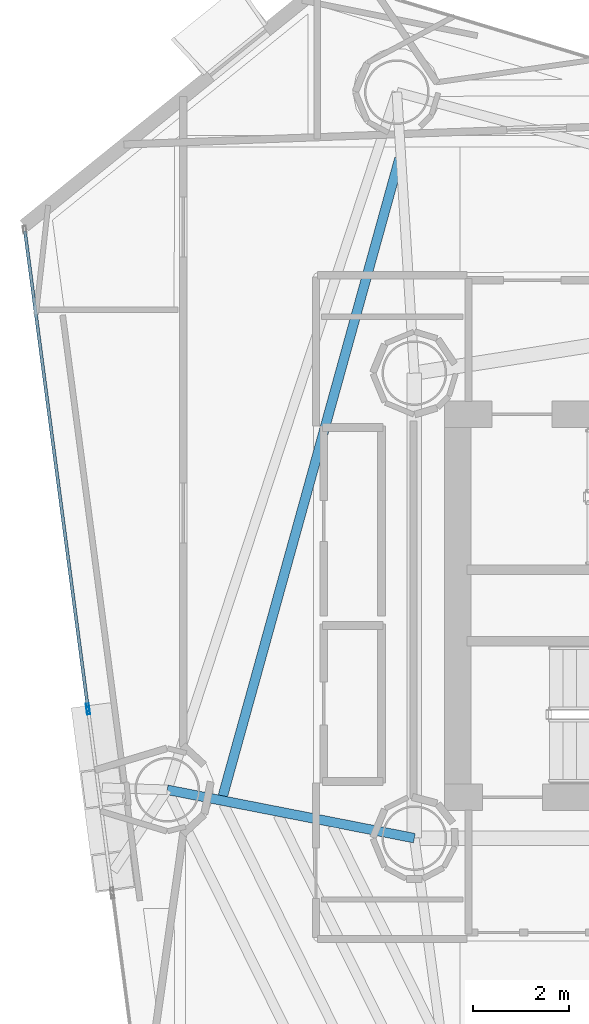
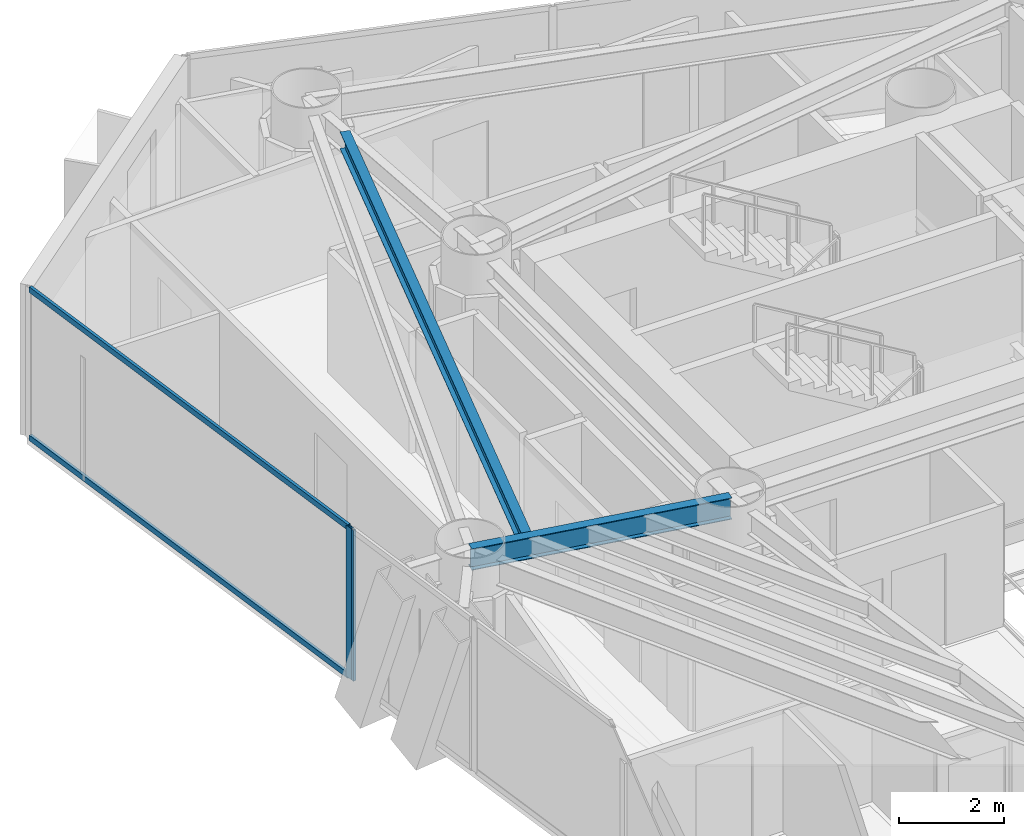
# One storey, part 9 of 22: 4 members, 2 beams, 2 elements without a shape of their own.
"""IFC4 building model written with IfcOpenShell, lengths in metres."""

from ifc_helpers import new_model, si_unit, direction, frame, origin, origin_2d, place, context, subcontext, project, spatial, hollow_rectangle, i_section, extrude, material, layer, layer_set, material_profile, profile_set, type_object, element, aggregate, save


model = new_model("IFC4")

# Units and contexts
model_context = context("Model", 3, precision=1e-05, world=origin(), true_north=direction((0.0, 1.0)))
body_context = subcontext(model_context, "Body", "Model", "MODEL_VIEW")
ifc_project = project(units=[si_unit("LENGTHUNIT", "METRE"), si_unit("AREAUNIT", "SQUARE_METRE"), si_unit("VOLUMEUNIT", "CUBIC_METRE"), si_unit("PLANEANGLEUNIT", "RADIAN"), si_unit("MASSUNIT", "GRAM", prefix="KILO")], contexts=[model_context])

# Site, building, storey
site_placement = place(None, origin())
site = spatial("IfcSite", under=ifc_project, at=site_placement, CompositionType="ELEMENT")
building_placement = place(site_placement, origin())
building = spatial("IfcBuilding", under=site, at=building_placement, Name="Qianvela Tower", CompositionType="ELEMENT")
storey_placement = place(building_placement, frame((0.0, 0.0, 177.199951171875)))
storey = spatial("IfcBuildingStorey", under=building, at=storey_placement, Name="L45", CompositionType="ELEMENT", Elevation=177.199951171875)

# Beams
ifc_material_1 = material(Name="Steel Q355B", Category="steel")
ifc_material_profile_1 = material_profile(ifc_material_1, i_section(OverallWidth=0.199951171875, OverallDepth=0.39990234375, WebThickness=0.008056640625, FlangeThickness=0.012939453125, at=origin_2d()), Name="HN400x200x8x13")
ifc_profile_set_1 = profile_set([ifc_material_profile_1], Name="Steel Q355B")
beam_type_1 = type_object("IfcBeamType", Name="BM-HN400-JOIST", PredefinedType="JOIST", material=ifc_profile_set_1)
beam_1_placement = place(storey_placement, frame((28.289794921875, 38.029052734375, 3.318115234375), z_axis=(-0.266971346744, -0.963704467157, 0.0), x_axis=(0.963704467157, -0.266971346744, 0.0)))
element("IfcBeam", 1, at=beam_1_placement, inside=storey, type_object=beam_type_1, Name="L45 Secondary Composite Floor Joist 3.3", PredefinedType="JOIST", context=body_context, shape_type="SweptSolid", body=[
    extrude(i_section(OverallWidth=0.199951171875, OverallDepth=0.39990234375, WebThickness=0.008056640625, FlangeThickness=0.012939453125, at=origin_2d()), origin(), (0.0, 0.0, 1.0), 13.800537109375),
])
ifc_material_2 = material(Name="Steel Q355B", Category="steel")
ifc_material_profile_2 = material_profile(ifc_material_2, i_section(OverallWidth=0.199951171875, OverallDepth=0.5, WebThickness=0.010009765625, FlangeThickness=0.01611328125, at=origin_2d()), Name="HN500x200x10x16")
ifc_profile_set_2 = profile_set([ifc_material_profile_2], Name="Steel Q355B")
beam_type_2 = type_object("IfcBeamType", Name="BM-HN500-GIRD", PredefinedType="BEAM", material=ifc_profile_set_2)
beam_2_placement = place(storey_placement, frame((28.60009765625, 23.85009765625, 3.26806640625), z_axis=(-0.98137875074, 0.192082658238, 0.0), x_axis=(-0.192082658238, -0.98137875074, 0.0)))
element("IfcBeam", 2, at=beam_2_placement, inside=storey, type_object=beam_type_2, Name="L45 Radial Primary Floor Girder 4", PredefinedType="BEAM", context=body_context, shape_type="SweptSolid", body=[
    extrude(i_section(OverallWidth=0.199951171875, OverallDepth=0.5, WebThickness=0.010009765625, FlangeThickness=0.01611328125, at=origin_2d()), origin(), (0.0, 0.0, 1.0), 5.251953125),
])

# Curtain wall, member
ifc_material_3 = material(Name="Anodised Architectural Aluminium and Insulated Spandrel Panel", Category="aluminium")
ifc_layer_1 = layer(ifc_material_3, 0.179931640625)
ifc_layer_set_1 = layer_set([ifc_layer_1], Name="Anodised Architectural Aluminium and Insulated Spandrel Panel")
curtain_wall_type_1 = type_object("IfcCurtainWallType", Name="CW-BRACEBAY", PredefinedType="USERDEFINED", material=ifc_layer_set_1)
curtain_wall_1_placement = place(storey_placement, origin())
curtain_wall_1 = element("IfcCurtainWall", 3, at=curtain_wall_1_placement, inside=storey, type_object=curtain_wall_type_1, Name="L45 CW-BRACEBAY Curtain Wall 04B", ObjectType="CURTAIN_WALL_SYSTEM", PredefinedType="USERDEFINED")
ifc_material_4 = material(Name="Anodised Architectural Aluminium 6063-T6", Category="aluminium")
ifc_material_profile_3 = material_profile(ifc_material_4, hollow_rectangle(XDim=0.06494140625, YDim=0.159912109375, WallThickness=0.0048828125, at=origin_2d()), Name="ALU-MULL-65x160")
ifc_profile_set_3 = profile_set([ifc_material_profile_3], Name="Anodised Architectural Aluminium 6063-T6")
member_type_1 = type_object("IfcMemberType", Name="CW-BRACEBAY-MULL", PredefinedType="MULLION", material=ifc_profile_set_3)
member_1_placement = place(storey_placement, frame((21.797607421875, 26.51123046875, 0.0), z_axis=(0.0, 0.0, 1.0), x_axis=(0.99140170858, 0.130853552589, 0.0)))
member_1 = element("IfcMember", 4, at=member_1_placement, type_object=member_type_1, Name="CW-9 mullion 1", PredefinedType="MULLION", context=body_context, shape_type="SweptSolid", body=[
    extrude(hollow_rectangle(XDim=0.06494140625, YDim=0.159912109375, WallThickness=0.0048828125, at=origin_2d()), origin(), (0.0, 0.0, 1.0), 3.52001953125),
])
aggregate(curtain_wall_1, [member_1])

# Curtain wall, members
ifc_material_5 = material(Name="Anodised Architectural Aluminium and Low-E Glass", Category="aluminium")
ifc_layer_2 = layer(ifc_material_5, 0.169921875)
ifc_layer_set_2 = layer_set([ifc_layer_2], Name="Anodised Architectural Aluminium and Low-E Glass")
curtain_wall_type_2 = type_object("IfcCurtainWallType", Name="CW-COLIV-Z34", PredefinedType="USERDEFINED", material=ifc_layer_set_2)
curtain_wall_2_placement = place(storey_placement, origin())
curtain_wall_2 = element("IfcCurtainWall", 5, at=curtain_wall_2_placement, inside=storey, type_object=curtain_wall_type_2, Name="L45 CW-COLIV-Z34 Curtain Wall 04A", ObjectType="CURTAIN_WALL_SYSTEM", PredefinedType="USERDEFINED")
ifc_material_6 = material(Name="Anodised Architectural Aluminium 6063-T6", Category="aluminium")
ifc_material_profile_4 = material_profile(ifc_material_6, hollow_rectangle(XDim=0.06494140625, YDim=0.159912109375, WallThickness=0.0048828125, at=origin_2d()), Name="ALU-MULL-65x160")
ifc_profile_set_4 = profile_set([ifc_material_profile_4], Name="Anodised Architectural Aluminium 6063-T6")
member_type_2 = type_object("IfcMemberType", Name="CW-COLIV-Z34-MULL", PredefinedType="MULLION", material=ifc_profile_set_4)
member_2_placement = place(storey_placement, frame((21.7890625, 26.57568359375, 0.0), z_axis=(0.0, 0.0, 1.0), x_axis=(0.991398204704, 0.130880096691, 0.0)))
member_2 = element("IfcMember", 6, at=member_2_placement, type_object=member_type_2, Name="CW-4 mullion 2", PredefinedType="MULLION", context=body_context, shape_type="SweptSolid", body=[
    extrude(hollow_rectangle(XDim=0.06494140625, YDim=0.159912109375, WallThickness=0.0048828125, at=origin_2d()), origin(), (0.0, 0.0, 1.0), 3.52001953125),
])
ifc_material_7 = material(Name="Anodised Architectural Aluminium 6063-T6", Category="aluminium")
ifc_material_profile_5 = material_profile(ifc_material_7, hollow_rectangle(XDim=0.06494140625, YDim=0.1298828125, WallThickness=0.00439453125, at=origin_2d()), Name="ALU-TRAN-65x130")
ifc_profile_set_5 = profile_set([ifc_material_profile_5], Name="Anodised Architectural Aluminium 6063-T6")
member_type_3 = type_object("IfcMemberType", Name="CW-COLIV-Z34-TRAN", PredefinedType="USERDEFINED", material=ifc_profile_set_5)
member_3_placement = place(storey_placement, frame((20.477294921875, 36.511962890625, 0.032470703125), z_axis=(0.130892596099, -0.991396554506, 0.0), x_axis=(0.991396554506, 0.130892596099, 0.0)))
member_3 = element("IfcMember", 7, at=member_3_placement, type_object=member_type_3, Name="CW-4 transom 1.1", ObjectType="TRANSOM", PredefinedType="USERDEFINED", context=body_context, shape_type="SweptSolid", body=[
    extrude(hollow_rectangle(XDim=0.06494140625, YDim=0.1298828125, WallThickness=0.00439453125, at=origin_2d()), origin(), (0.0, 0.0, 1.0), 9.989990234375),
])
member_4_placement = place(storey_placement, frame((20.477294921875, 36.511962890625, 3.487548828125), z_axis=(0.130892596099, -0.991396554506, 0.0), x_axis=(0.991396554506, 0.130892596099, 0.0)))
member_4 = element("IfcMember", 8, at=member_4_placement, type_object=member_type_3, Name="CW-4 transom 1.2", ObjectType="TRANSOM", PredefinedType="USERDEFINED", context=body_context, shape_type="SweptSolid", body=[
    extrude(hollow_rectangle(XDim=0.06494140625, YDim=0.1298828125, WallThickness=0.00439453125, at=origin_2d()), origin(), (0.0, 0.0, 1.0), 9.989990234375),
])
aggregate(curtain_wall_2, [member_2, member_3, member_4])

save(model, "model.ifc")
